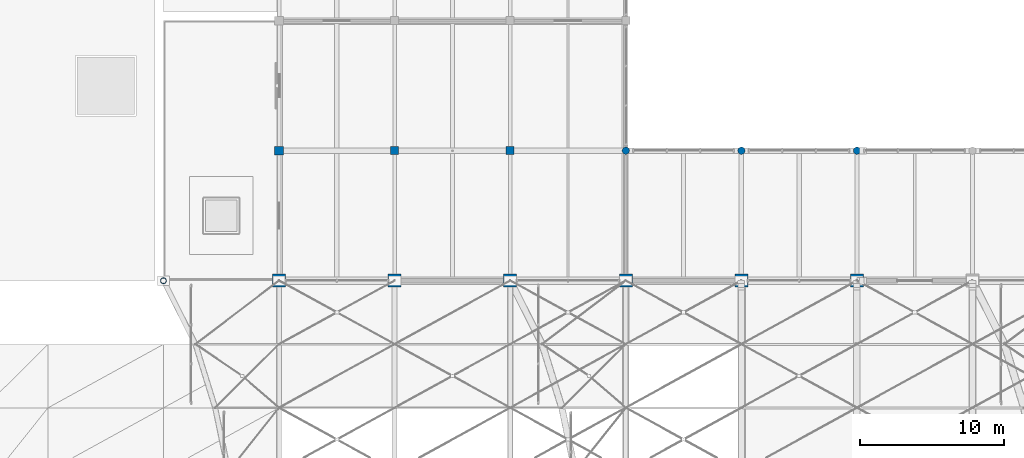
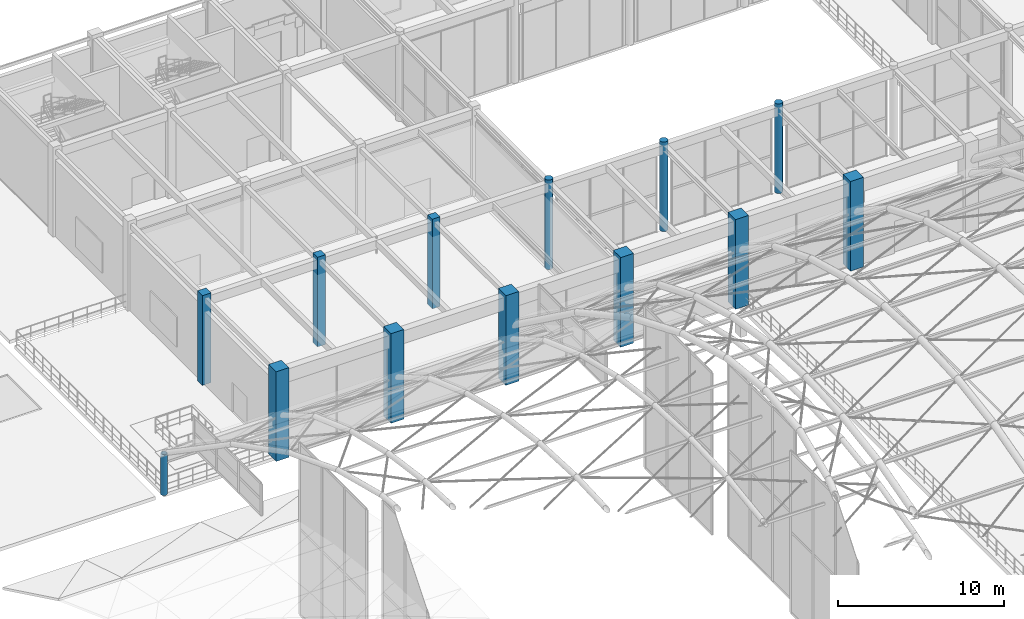
# One storey, part 4 of 163: 13 columns.
"""IFC4 building model written with IfcOpenShell, lengths in metres."""

from ifc_helpers import new_model, si_unit, direction, frame, origin, origin_2d, place, context, subcontext, project, spatial, rectangle, circle, hollow_circle, extrude, material, material_profile, profile_set, type_object, element, save


model = new_model("IFC4")

# Units and contexts
model_context = context("Model", 3, precision=1e-05, world=origin(), true_north=direction((0.0, 1.0)))
body_context = subcontext(model_context, "Body", "Model", "MODEL_VIEW")
ifc_project = project(units=[si_unit("LENGTHUNIT", "METRE"), si_unit("AREAUNIT", "SQUARE_METRE"), si_unit("VOLUMEUNIT", "CUBIC_METRE"), si_unit("PLANEANGLEUNIT", "RADIAN"), si_unit("MASSUNIT", "GRAM", prefix="KILO")], contexts=[model_context])

# Site, building, storey
site_placement = place(None, origin())
site = spatial("IfcSite", under=ifc_project, at=site_placement, CompositionType="ELEMENT")
building_placement = place(site_placement, origin())
building = spatial("IfcBuilding", under=site, at=building_placement, Name="Varnabhumi Central Station", CompositionType="ELEMENT")
storey_placement = place(building_placement, frame((0.0, 0.0, 9.60009765625)))
storey = spatial("IfcBuildingStorey", under=building, at=storey_placement, Name="L02", CompositionType="ELEMENT", Elevation=9.60009765625)

# Columns
ifc_material_1 = material(Name="Structural steel E350", Category="steel")
ifc_material_profile_1 = material_profile(ifc_material_1, hollow_circle(Radius=0.203125, WallThickness=0.01611328125, at=origin_2d()), Name="Structural steel E350", Category="steel")
ifc_profile_set_1 = profile_set([ifc_material_profile_1], Name="Structural steel E350")
column_type_1 = type_object("IfcColumnType", Name="COL-MAST-CHS406", PredefinedType="COLUMN", material=ifc_profile_set_1)
column_1_placement = place(storey_placement, frame((16.0, 80.0, 0.0), z_axis=(0.0, 0.0, 1.0), x_axis=(1.0, 0.0, 0.0)))
element("IfcColumn", 1, at=column_1_placement, inside=storey, type_object=column_type_1, Name="Vault Mast L02-3K", PredefinedType="COLUMN", context=body_context, shape_type="SweptSolid", body=[
    extrude(hollow_circle(Radius=0.203125, WallThickness=0.01611328125, at=origin_2d()), origin(), (0.0, 0.0, 1.0), 3.0),
])
ifc_material_2 = material(Name="Concrete M40", Category="concrete")
ifc_material_profile_2 = material_profile(ifc_material_2, rectangle(XDim=0.60009765625, YDim=0.60009765625, at=origin_2d()), Name="Concrete M40", Category="concrete")
ifc_profile_set_2 = profile_set([ifc_material_profile_2], Name="Concrete M40")
column_type_2 = type_object("IfcColumnType", Name="COL-NORTH-600", PredefinedType="COLUMN", material=ifc_profile_set_2)
column_2_placement = place(storey_placement, frame((24.0, 89.0, 0.0), z_axis=(0.0, 0.0, 1.0), x_axis=(1.0, 0.0, 0.0)))
element("IfcColumn", 2, at=column_2_placement, inside=storey, type_object=column_type_2, Name="Column L02-4L", PredefinedType="COLUMN", context=body_context, shape_type="SweptSolid", body=[
    extrude(rectangle(XDim=0.60009765625, YDim=0.60009765625, at=origin_2d()), origin(), (0.0, 0.0, 1.0), 6.599853515625),
])
ifc_material_profile_3 = material_profile(ifc_material_2, rectangle(XDim=0.550048828125, YDim=0.550048828125, at=origin_2d()), Name="Concrete M40", Category="concrete")
ifc_profile_set_3 = profile_set([ifc_material_profile_3], Name="Concrete M40")
column_type_3 = type_object("IfcColumnType", Name="COL-RC-550", PredefinedType="COLUMN", material=ifc_profile_set_3)
for number, where, z_axis, x_axis, name in (
    (3, (32.0, 89.0, 0.0), (0.0, 0.0, 1.0), (1.0, 0.0, 0.0), "Column L02-5L"),
    (4, (40.0, 89.0, 0.0), (0.0, 0.0, 1.0), (1.0, 0.0, 0.0), "Column L02-6L"),
):
    element("IfcColumn", number, at=place(storey_placement, frame(where, z_axis=z_axis, x_axis=x_axis)), inside=storey, type_object=column_type_3, Name=name, PredefinedType="COLUMN", context=body_context, shape_type="SweptSolid", body=[
        extrude(rectangle(XDim=0.550048828125, YDim=0.550048828125, at=origin_2d()), origin(), (0.0, 0.0, 1.0), 6.599853515625),
    ])
ifc_material_profile_4 = material_profile(ifc_material_2, circle(Radius=0.25, at=origin_2d()), Name="Concrete M40", Category="concrete")
ifc_profile_set_4 = profile_set([ifc_material_profile_4], Name="Concrete M40")
column_type_4 = type_object("IfcColumnType", Name="COL-RC-D500", PredefinedType="COLUMN", material=ifc_profile_set_4)
for number, where, z_axis, x_axis, name in (
    (5, (48.0, 89.0, 0.0), (0.0, 0.0, 1.0), (1.0, 0.0, 0.0), "Column L02-7L"),
    (6, (56.0, 89.0, 0.0), (0.0, 0.0, 1.0), (1.0, 0.0, 0.0), "Column L02-8L"),
    (7, (64.0, 89.0, 0.0), (0.0, 0.0, 1.0), (1.0, 0.0, 0.0), "Column L02-9L"),
):
    element("IfcColumn", number, at=place(storey_placement, frame(where, z_axis=z_axis, x_axis=x_axis)), inside=storey, type_object=column_type_4, Name=name, PredefinedType="COLUMN", context=body_context, shape_type="SweptSolid", body=[
        extrude(circle(Radius=0.25, at=origin_2d()), origin(), (0.0, 0.0, 1.0), 6.599853515625),
    ])
ifc_material_3 = material(Name="Concrete M50", Category="concrete")
ifc_material_profile_5 = material_profile(ifc_material_3, rectangle(XDim=0.89990234375, YDim=0.89990234375, at=origin_2d()), Name="Concrete M50", Category="concrete")
ifc_profile_set_5 = profile_set([ifc_material_profile_5], Name="Concrete M50")
column_type_5 = type_object("IfcColumnType", Name="COL-SPINE-M50-900x900", PredefinedType="COLUMN", material=ifc_profile_set_5)
for number, where, z_axis, x_axis, name in (
    (8, (24.0, 80.0, 0.0), (0.0, 0.0, 1.0), (1.0, 0.0, 0.0), "Column L02-4K"),
    (9, (32.0, 80.0, 0.0), (0.0, 0.0, 1.0), (1.0, 0.0, 0.0), "Column L02-5K"),
    (10, (40.0, 80.0, 0.0), (0.0, 0.0, 1.0), (1.0, 0.0, 0.0), "Column L02-6K"),
    (11, (48.0, 80.0, 0.0), (0.0, 0.0, 1.0), (1.0, 0.0, 0.0), "Column L02-7K"),
    (12, (56.0, 80.0, 0.0), (0.0, 0.0, 1.0), (1.0, 0.0, 0.0), "Column L02-8K"),
    (13, (64.0, 80.0, 0.0), (0.0, 0.0, 1.0), (1.0, 0.0, 0.0), "Column L02-9K"),
):
    element("IfcColumn", number, at=place(storey_placement, frame(where, z_axis=z_axis, x_axis=x_axis)), inside=storey, type_object=column_type_5, Name=name, PredefinedType="COLUMN", context=body_context, shape_type="SweptSolid", body=[
        extrude(rectangle(XDim=0.89990234375, YDim=0.89990234375, at=origin_2d()), origin(), (0.0, 0.0, 1.0), 6.599853515625),
    ])

save(model, "model.ifc")
